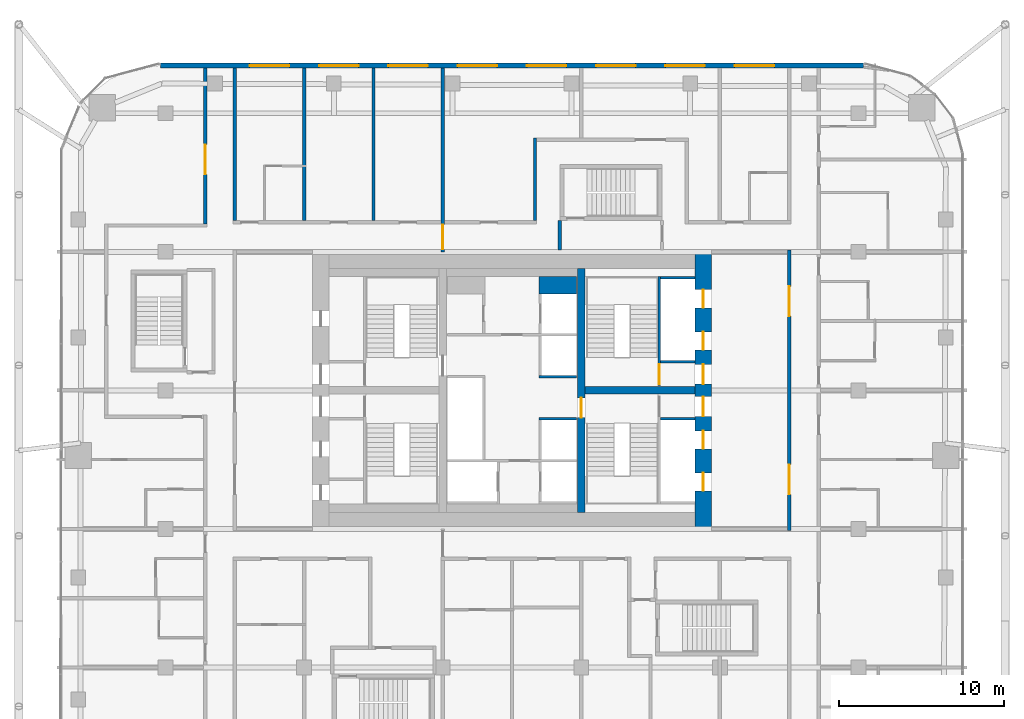
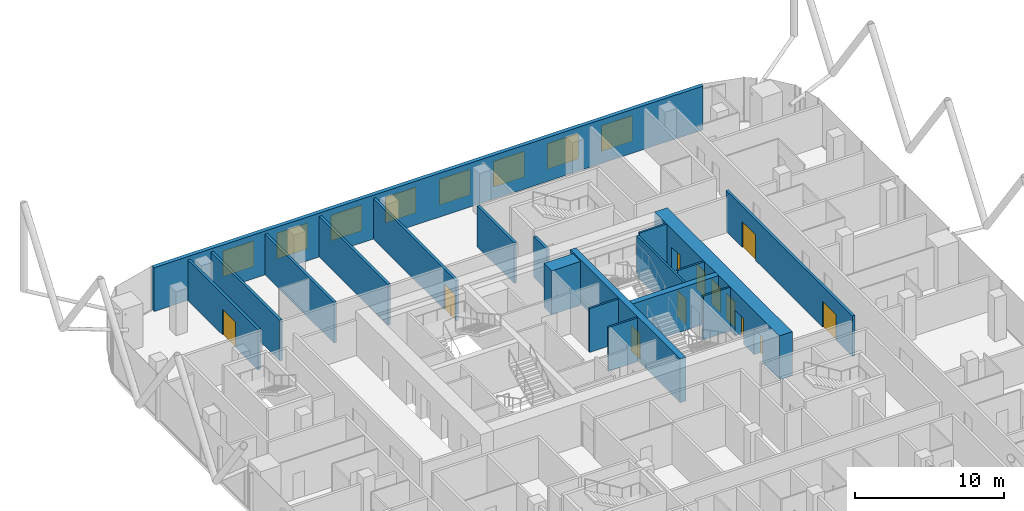
# One storey, part 32 of 36: 19 walls, 12 doors, 8 windows, 20 openings.
"""IFC4 building model written with IfcOpenShell, lengths in metres."""

from ifc_helpers import new_model, si_unit, direction, frame, frame_2d, origin, place, context, subcontext, project, spatial, rectangle, extrude, material, layer, layer_set, type_object, element, fill, save


model = new_model("IFC4")

# Units and contexts
model_context = context("Model", 3, precision=1e-05, world=origin(), true_north=direction((0.0, 1.0)))
body_context = subcontext(model_context, "Body", "Model", "MODEL_VIEW")
ifc_project = project(units=[si_unit("LENGTHUNIT", "METRE"), si_unit("AREAUNIT", "SQUARE_METRE"), si_unit("VOLUMEUNIT", "CUBIC_METRE"), si_unit("PLANEANGLEUNIT", "RADIAN"), si_unit("MASSUNIT", "GRAM", prefix="KILO")], contexts=[model_context])

# Site, building, storey
site_placement = place(None, origin())
site = spatial("IfcSite", under=ifc_project, at=site_placement, CompositionType="ELEMENT")
building_placement = place(site_placement, origin())
building = spatial("IfcBuilding", under=site, at=building_placement, Name="Marenta Gate Hotel Tower", CompositionType="ELEMENT")
storey_placement = place(building_placement, frame((0.0, 0.0, 158.89990234375)))
storey = spatial("IfcBuildingStorey", under=building, at=storey_placement, Name="L37", CompositionType="ELEMENT", Elevation=158.89990234375)

# Wall, openings, windows
ifc_material_1 = material(Name="Concrete C40 board-marked", Category="concrete")
ifc_layer_1 = layer(ifc_material_1, 0.300048828125)
ifc_layer_set_1 = layer_set([ifc_layer_1], Name="Concrete C40 board-marked")
wall_type_1 = type_object("IfcWallType", Name="Board-marked concrete wall 300 mm", PredefinedType="NOTDEFINED", material=ifc_layer_set_1)
wall_1_placement = place(storey_placement, frame((21.305908203125, 28.090087890625, 0.0), z_axis=(0.0, 0.0, 1.0), x_axis=(-1.0, 0.0, 0.0)))
wall_1 = element("IfcWall", 1, at=wall_1_placement, inside=storey, type_object=wall_type_1, Name="L37-CLD-N00", PredefinedType="NOTDEFINED", context=body_context, shape_type="SweptSolid", body=[
    extrude(rectangle(XDim=42.61181640625, YDim=0.300048828125, at=frame_2d((21.305908203125, 0.0))), origin(), (0.0, 0.0, 1.0), 3.60009765625),
])
opening_1_placement = place(wall_1_placement, frame((5.406005859375, 0.0, 0.89990234375)))
opening_1 = element("IfcOpeningElement", 2, at=opening_1_placement, cuts=wall_1, Name="Opening W1", PredefinedType="OPENING", context=body_context, shape_type="SweptSolid", body=[
    extrude(rectangle(XDim=2.39990234375, YDim=2.10009765625, at=frame_2d((1.199951171875, 1.050048828125))), frame((0.0, 0.14990234375, 0.0), z_axis=(0.0, -1.0, 0.0), x_axis=(1.0, 0.0, 0.0)), (0.0, 0.0, 1.0), 0.300048828125),
])
opening_2_placement = place(wall_1_placement, frame((9.60595703125, 0.0, 0.89990234375)))
opening_2 = element("IfcOpeningElement", 3, at=opening_2_placement, cuts=wall_1, Name="Opening W1", PredefinedType="OPENING", context=body_context, shape_type="SweptSolid", body=[
    extrude(rectangle(XDim=2.39990234375, YDim=2.10009765625, at=frame_2d((1.199951171875, 1.050048828125))), frame((0.0, 0.14990234375, 0.0), z_axis=(0.0, -1.0, 0.0), x_axis=(1.0, 0.0, 0.0)), (0.0, 0.0, 1.0), 0.300048828125),
])
opening_3_placement = place(wall_1_placement, frame((13.805908203125, 0.0, 0.89990234375)))
opening_3 = element("IfcOpeningElement", 4, at=opening_3_placement, cuts=wall_1, Name="Opening W1", PredefinedType="OPENING", context=body_context, shape_type="SweptSolid", body=[
    extrude(rectangle(XDim=2.39990234375, YDim=2.10009765625, at=frame_2d((1.199951171875, 1.050048828125))), frame((0.0, 0.14990234375, 0.0), z_axis=(0.0, -1.0, 0.0), x_axis=(1.0, 0.0, 0.0)), (0.0, 0.0, 1.0), 0.300048828125),
])
opening_4_placement = place(wall_1_placement, frame((18.005859375, 0.0, 0.89990234375)))
opening_4 = element("IfcOpeningElement", 5, at=opening_4_placement, cuts=wall_1, Name="Opening W1", PredefinedType="OPENING", context=body_context, shape_type="SweptSolid", body=[
    extrude(rectangle(XDim=2.39990234375, YDim=2.10009765625, at=frame_2d((1.199951171875, 1.050048828125))), frame((0.0, 0.14990234375, 0.0), z_axis=(0.0, -1.0, 0.0), x_axis=(1.0, 0.0, 0.0)), (0.0, 0.0, 1.0), 0.300048828125),
])
opening_5_placement = place(wall_1_placement, frame((22.205810546875, 0.0, 0.89990234375)))
opening_5 = element("IfcOpeningElement", 6, at=opening_5_placement, cuts=wall_1, Name="Opening W1", PredefinedType="OPENING", context=body_context, shape_type="SweptSolid", body=[
    extrude(rectangle(XDim=2.39990234375, YDim=2.10009765625, at=frame_2d((1.199951171875, 1.050048828125))), frame((0.0, 0.14990234375, 0.0), z_axis=(0.0, -1.0, 0.0), x_axis=(1.0, 0.0, 0.0)), (0.0, 0.0, 1.0), 0.300048828125),
])
opening_6_placement = place(wall_1_placement, frame((26.406005859375, 0.0, 0.89990234375)))
opening_6 = element("IfcOpeningElement", 7, at=opening_6_placement, cuts=wall_1, Name="Opening W1", PredefinedType="OPENING", context=body_context, shape_type="SweptSolid", body=[
    extrude(rectangle(XDim=2.39990234375, YDim=2.10009765625, at=frame_2d((1.199951171875, 1.050048828125))), frame((0.0, 0.14990234375, 0.0), z_axis=(0.0, -1.0, 0.0), x_axis=(1.0, 0.0, 0.0)), (0.0, 0.0, 1.0), 0.300048828125),
])
opening_7_placement = place(wall_1_placement, frame((30.60595703125, 0.0, 0.89990234375)))
opening_7 = element("IfcOpeningElement", 8, at=opening_7_placement, cuts=wall_1, Name="Opening W1", PredefinedType="OPENING", context=body_context, shape_type="SweptSolid", body=[
    extrude(rectangle(XDim=2.39990234375, YDim=2.10009765625, at=frame_2d((1.199951171875, 1.050048828125))), frame((0.0, 0.14990234375, 0.0), z_axis=(0.0, -1.0, 0.0), x_axis=(1.0, 0.0, 0.0)), (0.0, 0.0, 1.0), 0.300048828125),
])
opening_8_placement = place(wall_1_placement, frame((34.805908203125, 0.0, 0.89990234375)))
opening_8 = element("IfcOpeningElement", 9, at=opening_8_placement, cuts=wall_1, Name="Opening W1", PredefinedType="OPENING", context=body_context, shape_type="SweptSolid", body=[
    extrude(rectangle(XDim=2.39990234375, YDim=2.10009765625, at=frame_2d((1.199951171875, 1.050048828125))), frame((0.0, 0.14990234375, 0.0), z_axis=(0.0, -1.0, 0.0), x_axis=(1.0, 0.0, 0.0)), (0.0, 0.0, 1.0), 0.300048828125),
])
ifc_material_2 = material(Name="Tinted insulated glass in bronze anodised frame", Category="glass")
window_type = type_object("IfcWindowType", Name="Window W1 2400x2100 bronze frame", PartitioningType="SINGLE_PANEL", PredefinedType="WINDOW", material=ifc_material_2)
window_1_placement = place(opening_1_placement, origin())
window_1 = element("IfcWindow", 10, at=window_1_placement, inside=storey, type_object=window_type, Name="Window W1", OverallHeight=2.10009765625, OverallWidth=2.39990234375, PartitioningType="SINGLE_PANEL", PredefinedType="WINDOW", context=body_context, shape_type="SweptSolid", body=[
    extrude(rectangle(XDim=2.39990234375, YDim=2.10009765625, at=frame_2d((1.199951171875, 1.050048828125))), frame((0.0, 0.030029296875, 0.0), z_axis=(0.0, -1.0, 0.0), x_axis=(1.0, 0.0, 0.0)), (0.0, 0.0, 1.0), 0.06005859375),
])
fill(opening_1, window_1)
window_2_placement = place(opening_2_placement, origin())
window_2 = element("IfcWindow", 11, at=window_2_placement, inside=storey, type_object=window_type, Name="Window W1", OverallHeight=2.10009765625, OverallWidth=2.39990234375, PartitioningType="SINGLE_PANEL", PredefinedType="WINDOW", context=body_context, shape_type="SweptSolid", body=[
    extrude(rectangle(XDim=2.39990234375, YDim=2.10009765625, at=frame_2d((1.199951171875, 1.050048828125))), frame((0.0, 0.030029296875, 0.0), z_axis=(0.0, -1.0, 0.0), x_axis=(1.0, 0.0, 0.0)), (0.0, 0.0, 1.0), 0.06005859375),
])
fill(opening_2, window_2)
window_3_placement = place(opening_3_placement, origin())
window_3 = element("IfcWindow", 12, at=window_3_placement, inside=storey, type_object=window_type, Name="Window W1", OverallHeight=2.10009765625, OverallWidth=2.39990234375, PartitioningType="SINGLE_PANEL", PredefinedType="WINDOW", context=body_context, shape_type="SweptSolid", body=[
    extrude(rectangle(XDim=2.39990234375, YDim=2.10009765625, at=frame_2d((1.199951171875, 1.050048828125))), frame((0.0, 0.030029296875, 0.0), z_axis=(0.0, -1.0, 0.0), x_axis=(1.0, 0.0, 0.0)), (0.0, 0.0, 1.0), 0.06005859375),
])
fill(opening_3, window_3)
window_4_placement = place(opening_4_placement, origin())
window_4 = element("IfcWindow", 13, at=window_4_placement, inside=storey, type_object=window_type, Name="Window W1", OverallHeight=2.10009765625, OverallWidth=2.39990234375, PartitioningType="SINGLE_PANEL", PredefinedType="WINDOW", context=body_context, shape_type="SweptSolid", body=[
    extrude(rectangle(XDim=2.39990234375, YDim=2.10009765625, at=frame_2d((1.199951171875, 1.050048828125))), frame((0.0, 0.030029296875, 0.0), z_axis=(0.0, -1.0, 0.0), x_axis=(1.0, 0.0, 0.0)), (0.0, 0.0, 1.0), 0.06005859375),
])
fill(opening_4, window_4)
window_5_placement = place(opening_5_placement, origin())
window_5 = element("IfcWindow", 14, at=window_5_placement, inside=storey, type_object=window_type, Name="Window W1", OverallHeight=2.10009765625, OverallWidth=2.39990234375, PartitioningType="SINGLE_PANEL", PredefinedType="WINDOW", context=body_context, shape_type="SweptSolid", body=[
    extrude(rectangle(XDim=2.39990234375, YDim=2.10009765625, at=frame_2d((1.199951171875, 1.050048828125))), frame((0.0, 0.030029296875, 0.0), z_axis=(0.0, -1.0, 0.0), x_axis=(1.0, 0.0, 0.0)), (0.0, 0.0, 1.0), 0.06005859375),
])
fill(opening_5, window_5)
window_6_placement = place(opening_6_placement, origin())
window_6 = element("IfcWindow", 15, at=window_6_placement, inside=storey, type_object=window_type, Name="Window W1", OverallHeight=2.10009765625, OverallWidth=2.39990234375, PartitioningType="SINGLE_PANEL", PredefinedType="WINDOW", context=body_context, shape_type="SweptSolid", body=[
    extrude(rectangle(XDim=2.39990234375, YDim=2.10009765625, at=frame_2d((1.199951171875, 1.050048828125))), frame((0.0, 0.030029296875, 0.0), z_axis=(0.0, -1.0, 0.0), x_axis=(1.0, 0.0, 0.0)), (0.0, 0.0, 1.0), 0.06005859375),
])
fill(opening_6, window_6)
window_7_placement = place(opening_7_placement, origin())
window_7 = element("IfcWindow", 16, at=window_7_placement, inside=storey, type_object=window_type, Name="Window W1", OverallHeight=2.10009765625, OverallWidth=2.39990234375, PartitioningType="SINGLE_PANEL", PredefinedType="WINDOW", context=body_context, shape_type="SweptSolid", body=[
    extrude(rectangle(XDim=2.39990234375, YDim=2.10009765625, at=frame_2d((1.199951171875, 1.050048828125))), frame((0.0, 0.030029296875, 0.0), z_axis=(0.0, -1.0, 0.0), x_axis=(1.0, 0.0, 0.0)), (0.0, 0.0, 1.0), 0.06005859375),
])
fill(opening_7, window_7)
window_8_placement = place(opening_8_placement, origin())
window_8 = element("IfcWindow", 17, at=window_8_placement, inside=storey, type_object=window_type, Name="Window W1", OverallHeight=2.10009765625, OverallWidth=2.39990234375, PartitioningType="SINGLE_PANEL", PredefinedType="WINDOW", context=body_context, shape_type="SweptSolid", body=[
    extrude(rectangle(XDim=2.39990234375, YDim=2.10009765625, at=frame_2d((1.199951171875, 1.050048828125))), frame((0.0, 0.030029296875, 0.0), z_axis=(0.0, -1.0, 0.0), x_axis=(1.0, 0.0, 0.0)), (0.0, 0.0, 1.0), 0.06005859375),
])
fill(opening_8, window_8)

# Wall, opening, door
ifc_material_3 = material(Name="Concrete blockwork", Category="masonry")
ifc_layer_2 = layer(ifc_material_3, 0.199951171875)
ifc_layer_set_2 = layer_set([ifc_layer_2], Name="Concrete blockwork")
wall_type_2 = type_object("IfcWallType", Name="Compartment wall 200 REI 180", PredefinedType="PARTITIONING", material=ifc_layer_set_2)
wall_2_placement = place(storey_placement, frame((-4.199951171875, 16.800048828125, 0.0), z_axis=(0.0, 0.0, 1.0), x_axis=(0.0, 1.0, 0.0)))
wall_2 = element("IfcWall", 18, at=wall_2_placement, inside=storey, type_object=wall_type_2, Name="L37-PTN-W073", PredefinedType="PARTITIONING", context=body_context, shape_type="SweptSolid", body=[
    extrude(rectangle(XDim=11.139892578125, YDim=0.199951171875, at=frame_2d((5.56982421875, 0.0))), origin(), (0.0, 0.0, 1.0), 3.340087890625),
])
opening_9_placement = place(wall_2_placement, frame((0.14990234375, 0.0, 0.0)))
opening_9 = element("IfcOpeningElement", 19, at=opening_9_placement, cuts=wall_2, Name="Opening G14-FD1", PredefinedType="OPENING", context=body_context, shape_type="SweptSolid", body=[
    extrude(rectangle(XDim=1.5, YDim=2.10009765625, at=frame_2d((0.75, 1.050048828125))), frame((0.0, 0.10009765625, 0.0), z_axis=(0.0, -1.0, 0.0), x_axis=(1.0, 0.0, 0.0)), (0.0, 0.0, 1.0), 0.199951171875),
])
ifc_material_4 = material(Name="Hollow steel door set", Category="steel")
door_type_1 = type_object("IfcDoorType", Name="Compartment fire door 1500x2100 EI 60", OperationType="DOUBLE_DOOR_DOUBLE_SWING", PredefinedType="DOOR", material=ifc_material_4)
door_1_placement = place(opening_9_placement, origin())
door_1 = element("IfcDoor", 20, at=door_1_placement, inside=storey, type_object=door_type_1, Name="L37-PD-FD01", OperationType="DOUBLE_DOOR_DOUBLE_SWING", OverallHeight=2.10009765625, OverallWidth=1.5, PredefinedType="DOOR", context=body_context, shape_type="SweptSolid", body=[
    extrude(rectangle(XDim=1.5, YDim=2.10009765625, at=frame_2d((0.75, 1.050048828125))), frame((0.0, 0.02490234375, 0.0), z_axis=(0.0, -1.0, 0.0), x_axis=(1.0, 0.0, 0.0)), (0.0, 0.0, 1.0), 0.050048828125),
])
fill(opening_9, door_1)

# Wall, openings, doors
ifc_material_5 = material(Name="Concrete blockwork", Category="masonry")
ifc_layer_3 = layer(ifc_material_5, 0.199951171875)
ifc_layer_set_3 = layer_set([ifc_layer_3], Name="Concrete blockwork")
wall_type_3 = type_object("IfcWallType", Name="Core boundary wall 200 REI 180", PredefinedType="PARTITIONING", material=ifc_layer_set_3)
wall_3_placement = place(storey_placement, frame((16.800048828125, -0.10009765625, 0.0), z_axis=(0.0, 0.0, 1.0), x_axis=(0.0, 1.0, 0.0)))
wall_3 = element("IfcWall", 21, at=wall_3_placement, inside=storey, type_object=wall_type_3, Name="L37-CP-BW-E", PredefinedType="PARTITIONING", context=body_context, shape_type="SweptSolid", body=[
    extrude(rectangle(XDim=17.0, YDim=0.199951171875, at=frame_2d((8.5, 0.0))), origin(), (0.0, 0.0, 1.0), 3.340087890625),
])
opening_10_placement = place(wall_3_placement, frame((2.199951171875, 0.0, 0.0)))
opening_10 = element("IfcOpeningElement", 22, at=opening_10_placement, cuts=wall_3, Name="Opening ED-Ea-B", PredefinedType="OPENING", context=body_context, shape_type="SweptSolid", body=[
    extrude(rectangle(XDim=1.800048828125, YDim=2.10009765625, at=frame_2d((0.89990234375, 1.050048828125))), frame((0.0, 0.10009765625, 0.0), z_axis=(0.0, -1.0, 0.0), x_axis=(1.0, 0.0, 0.0)), (0.0, 0.0, 1.0), 0.199951171875),
])
opening_11_placement = place(wall_3_placement, frame((13.0, 0.0, 0.0)))
opening_11 = element("IfcOpeningElement", 23, at=opening_11_placement, cuts=wall_3, Name="Opening ED-Eb-B", PredefinedType="OPENING", context=body_context, shape_type="SweptSolid", body=[
    extrude(rectangle(XDim=1.800048828125, YDim=2.10009765625, at=frame_2d((0.89990234375, 1.050048828125))), frame((0.0, 0.10009765625, 0.0), z_axis=(0.0, -1.0, 0.0), x_axis=(1.0, 0.0, 0.0)), (0.0, 0.0, 1.0), 0.199951171875),
])
ifc_material_6 = material(Name="Steel", Category="steel")
door_type_2 = type_object("IfcDoorType", Name="Core lobby entrance door 1800x2100 EI 60", OperationType="DOUBLE_DOOR_SINGLE_SWING", PredefinedType="DOOR", material=ifc_material_6)
door_2_placement = place(opening_10_placement, origin())
door_2 = element("IfcDoor", 24, at=door_2_placement, inside=storey, type_object=door_type_2, Name="ED-Ea-B", OperationType="DOUBLE_DOOR_SINGLE_SWING", OverallHeight=2.10009765625, OverallWidth=1.800048828125, PredefinedType="DOOR", context=body_context, shape_type="SweptSolid", body=[
    extrude(rectangle(XDim=1.800048828125, YDim=2.10009765625, at=frame_2d((0.89990234375, 1.050048828125))), frame((0.0, 0.02490234375, 0.0), z_axis=(0.0, -1.0, 0.0), x_axis=(1.0, 0.0, 0.0)), (0.0, 0.0, 1.0), 0.050048828125),
])
fill(opening_10, door_2)
door_3_placement = place(opening_11_placement, origin())
door_3 = element("IfcDoor", 25, at=door_3_placement, inside=storey, type_object=door_type_2, Name="ED-Eb-B", OperationType="DOUBLE_DOOR_SINGLE_SWING", OverallHeight=2.10009765625, OverallWidth=1.800048828125, PredefinedType="DOOR", context=body_context, shape_type="SweptSolid", body=[
    extrude(rectangle(XDim=1.800048828125, YDim=2.10009765625, at=frame_2d((0.89990234375, 1.050048828125))), frame((0.0, 0.02490234375, 0.0), z_axis=(0.0, -1.0, 0.0), x_axis=(1.0, 0.0, 0.0)), (0.0, 0.0, 1.0), 0.050048828125),
])
fill(opening_11, door_3)

# Walls
ifc_material_7 = material(Name="Concrete C40", Category="concrete")
ifc_layer_4 = layer(ifc_material_7, 1.050048828125)
ifc_layer_set_4 = layer_set([ifc_layer_4], Name="Concrete C40")
wall_type_4 = type_object("IfcWallType", Name="Core shaft wall 1050 REI 180", PredefinedType="SHEAR", material=ifc_layer_set_4)
wall_4_placement = place(storey_placement, frame((1.64990234375, 14.77490234375, 0.0), z_axis=(0.0, 0.0, 1.0), x_axis=(1.0, 0.0, 0.0)))
element("IfcWall", 26, at=wall_4_placement, inside=storey, type_object=wall_type_4, Name="L37-SHF-CE-N-top", PredefinedType="SHEAR", context=body_context, shape_type="SweptSolid", body=[
    extrude(rectangle(XDim=2.25, YDim=1.050048828125, at=frame_2d((1.125, 0.0))), origin(), (0.0, 0.0, 1.0), 3.60009765625),
])
ifc_material_8 = material(Name="Concrete C40", Category="concrete")
ifc_layer_5 = layer(ifc_material_8, 0.14990234375)
ifc_layer_set_5 = layer_set([ifc_layer_5], Name="Concrete C40")
wall_type_5 = type_object("IfcWallType", Name="Core shaft wall 150 REI 180", PredefinedType="SHEAR", material=ifc_layer_set_5)
for number, where, z_axis, x_axis, name in (
    (27, (9.0, 6.675048828125, 0.0), (0.0, 0.0, 1.0), (1.0, 0.0, 0.0), "L37-SHF-SW-ES-2"),
    (28, (9.0, 10.125, 0.0), (0.0, 0.0, 1.0), (1.0, 0.0, 0.0), "L37-SHF-SW-EN-2"),
    (29, (9.0, 15.22509765625, 0.0), (0.0, 0.0, 1.0), (1.0, 0.0, 0.0), "L37-SHF-SW-EN-5"),
):
    element("IfcWall", number, at=place(storey_placement, frame(where, z_axis=z_axis, x_axis=x_axis)), inside=storey, type_object=wall_type_5, Name=name, PredefinedType="SHEAR", context=body_context, shape_type="SweptSolid", body=[
        extrude(rectangle(XDim=2.10009765625, YDim=0.14990234375, at=frame_2d((1.050048828125, 0.0))), origin(), (0.0, 0.0, 1.0), 3.60009765625),
    ])
for number, where, z_axis, x_axis, name in (
    (30, (1.64990234375, 6.675048828125, 0.0), (0.0, 0.0, 1.0), (1.0, 0.0, 0.0), "L37-SHF-CE-sep1"),
    (31, (1.64990234375, 9.22509765625, 0.0), (0.0, 0.0, 1.0), (1.0, 0.0, 0.0), "L37-SHF-CE-sep2"),
):
    element("IfcWall", number, at=place(storey_placement, frame(where, z_axis=z_axis, x_axis=x_axis)), inside=storey, type_object=wall_type_5, Name=name, PredefinedType="SHEAR", context=body_context, shape_type="SweptSolid", body=[
        extrude(rectangle(XDim=2.25, YDim=0.14990234375, at=frame_2d((1.125, 0.0))), origin(), (0.0, 0.0, 1.0), 3.60009765625),
    ])

# Wall, opening, door
ifc_material_9 = material(Name="Concrete C40", Category="concrete")
ifc_layer_6 = layer(ifc_material_9, 0.14990234375)
ifc_layer_set_6 = layer_set([ifc_layer_6], Name="Concrete C40")
wall_type_6 = type_object("IfcWallType", Name="Core stair enclosure wall 150 REI 180", PredefinedType="SHEAR", material=ifc_layer_set_6)
wall_5_placement = place(storey_placement, frame((8.925048828125, 8.699951171875, 0.0), z_axis=(0.0, 0.0, 1.0), x_axis=(0.0, 1.0, 0.0)))
wall_5 = element("IfcWall", 32, at=wall_5_placement, inside=storey, type_object=wall_type_6, Name="L37-SHF-SW-EN-3", PredefinedType="SHEAR", context=body_context, shape_type="SweptSolid", body=[
    extrude(rectangle(XDim=6.60009765625, YDim=0.14990234375, at=frame_2d((3.300048828125, 0.0))), origin(), (0.0, 0.0, 1.0), 3.340087890625),
])
opening_12_placement = place(wall_5_placement, frame((0.074951171875, 0.0, 0.0)))
opening_12 = element("IfcOpeningElement", 33, at=opening_12_placement, cuts=wall_5, Name="Opening SD-EN", PredefinedType="OPENING", context=body_context, shape_type="SweptSolid", body=[
    extrude(rectangle(XDim=1.199951171875, YDim=2.10009765625, at=frame_2d((0.60009765625, 1.050048828125))), frame((0.0, 0.074951171875, 0.0), z_axis=(0.0, -1.0, 0.0), x_axis=(1.0, 0.0, 0.0)), (0.0, 0.0, 1.0), 0.14990234375),
])
ifc_material_10 = material(Name="Steel", Category="steel")
door_type_3 = type_object("IfcDoorType", Name="Core stair door 1200x2100 FD60", OperationType="SINGLE_SWING_LEFT", PredefinedType="DOOR", material=ifc_material_10)
door_4_placement = place(opening_12_placement, origin())
door_4 = element("IfcDoor", 34, at=door_4_placement, inside=storey, type_object=door_type_3, Name="SD-EN", OperationType="SINGLE_SWING_LEFT", OverallHeight=2.10009765625, OverallWidth=1.199951171875, PredefinedType="DOOR", context=body_context, shape_type="SweptSolid", body=[
    extrude(rectangle(XDim=1.199951171875, YDim=2.10009765625, at=frame_2d((0.60009765625, 1.050048828125))), frame((0.0, 0.02490234375, 0.0), z_axis=(0.0, -1.0, 0.0), x_axis=(1.0, 0.0, 0.0)), (0.0, 0.0, 1.0), 0.050048828125),
])
fill(opening_12, door_4)

# Wall, openings, doors
ifc_material_11 = material(Name="Concrete C70", Category="concrete")
ifc_layer_7 = layer(ifc_material_11, 1.0)
ifc_layer_set_7 = layer_set([ifc_layer_7], Name="Concrete C70")
wall_type_7 = type_object("IfcWallType", Name="Core wall 1000 C70", PredefinedType="SHEAR", material=ifc_layer_set_7)
wall_6_placement = place(storey_placement, frame((11.60009765625, 0.0, 0.0), z_axis=(0.0, 0.0, 1.0), x_axis=(0.0, 1.0, 0.0)))
wall_6 = element("IfcWall", 35, at=wall_6_placement, inside=storey, type_object=wall_type_7, Name="L37-CORE-E", PredefinedType="SHEAR", context=body_context, shape_type="SweptSolid", body=[
    extrude(rectangle(XDim=16.800048828125, YDim=1.0, at=frame_2d((8.39990234375, 0.0))), origin(), (0.0, 0.0, 1.0), 3.60009765625),
])
opening_13_placement = place(wall_6_placement, frame((2.300048828125, 0.0, 0.0)))
opening_13 = element("IfcOpeningElement", 36, at=opening_13_placement, cuts=wall_6, Name="Opening LD-HR1", PredefinedType="OPENING", context=body_context, shape_type="SweptSolid", body=[
    extrude(rectangle(XDim=1.10009765625, YDim=2.10009765625, at=frame_2d((0.550048828125, 1.050048828125))), frame((0.0, 0.5, 0.0), z_axis=(0.0, -1.0, 0.0), x_axis=(1.0, 0.0, 0.0)), (0.0, 0.0, 1.0), 1.0),
])
opening_14_placement = place(wall_6_placement, frame((4.85009765625, 0.0, 0.0)))
opening_14 = element("IfcOpeningElement", 37, at=opening_14_placement, cuts=wall_6, Name="Opening LD-HR2", PredefinedType="OPENING", context=body_context, shape_type="SweptSolid", body=[
    extrude(rectangle(XDim=1.10009765625, YDim=2.10009765625, at=frame_2d((0.550048828125, 1.050048828125))), frame((0.0, 0.5, 0.0), z_axis=(0.0, -1.0, 0.0), x_axis=(1.0, 0.0, 0.0)), (0.0, 0.0, 1.0), 1.0),
])
opening_15_placement = place(wall_6_placement, frame((6.824951171875, 0.0, 0.0)))
opening_15 = element("IfcOpeningElement", 38, at=opening_15_placement, cuts=wall_6, Name="Opening PD-ES", PredefinedType="OPENING", context=body_context, shape_type="SweptSolid", body=[
    extrude(rectangle(XDim=1.199951171875, YDim=2.10009765625, at=frame_2d((0.60009765625, 1.050048828125))), frame((0.0, 0.5, 0.0), z_axis=(0.0, -1.0, 0.0), x_axis=(1.0, 0.0, 0.0)), (0.0, 0.0, 1.0), 1.0),
])
opening_16_placement = place(wall_6_placement, frame((13.39990234375, 0.0, 0.0)))
opening_16 = element("IfcOpeningElement", 39, at=opening_16_placement, cuts=wall_6, Name="Opening LD-HR4", PredefinedType="OPENING", context=body_context, shape_type="SweptSolid", body=[
    extrude(rectangle(XDim=1.10009765625, YDim=2.10009765625, at=frame_2d((0.550048828125, 1.050048828125))), frame((0.0, 0.5, 0.0), z_axis=(0.0, -1.0, 0.0), x_axis=(1.0, 0.0, 0.0)), (0.0, 0.0, 1.0), 1.0),
])
opening_17_placement = place(wall_6_placement, frame((10.85009765625, 0.0, 0.0)))
opening_17 = element("IfcOpeningElement", 40, at=opening_17_placement, cuts=wall_6, Name="Opening LD-HR3", PredefinedType="OPENING", context=body_context, shape_type="SweptSolid", body=[
    extrude(rectangle(XDim=1.10009765625, YDim=2.10009765625, at=frame_2d((0.550048828125, 1.050048828125))), frame((0.0, 0.5, 0.0), z_axis=(0.0, -1.0, 0.0), x_axis=(1.0, 0.0, 0.0)), (0.0, 0.0, 1.0), 1.0),
])
opening_18_placement = place(wall_6_placement, frame((8.77490234375, 0.0, 0.0)))
opening_18 = element("IfcOpeningElement", 41, at=opening_18_placement, cuts=wall_6, Name="Opening PD-EN", PredefinedType="OPENING", context=body_context, shape_type="SweptSolid", body=[
    extrude(rectangle(XDim=1.199951171875, YDim=2.10009765625, at=frame_2d((0.60009765625, 1.050048828125))), frame((0.0, 0.5, 0.0), z_axis=(0.0, -1.0, 0.0), x_axis=(1.0, 0.0, 0.0)), (0.0, 0.0, 1.0), 1.0),
])
ifc_material_12 = material(Name="Steel", Category="steel")
door_type_4 = type_object("IfcDoorType", Name="Core lift landing door 1100x2100 E 60", OperationType="SLIDING_TO_LEFT", PredefinedType="DOOR", material=ifc_material_12)
door_5_placement = place(opening_13_placement, origin())
door_5 = element("IfcDoor", 42, at=door_5_placement, inside=storey, type_object=door_type_4, Name="LD-HR1", OperationType="SLIDING_TO_LEFT", OverallHeight=2.10009765625, OverallWidth=1.10009765625, PredefinedType="DOOR", context=body_context, shape_type="SweptSolid", body=[
    extrude(rectangle(XDim=1.10009765625, YDim=2.10009765625, at=frame_2d((0.550048828125, 1.050048828125))), frame((0.0, 0.02490234375, 0.0), z_axis=(0.0, -1.0, 0.0), x_axis=(1.0, 0.0, 0.0)), (0.0, 0.0, 1.0), 0.050048828125),
])
fill(opening_13, door_5)
door_6_placement = place(opening_14_placement, origin())
door_6 = element("IfcDoor", 43, at=door_6_placement, inside=storey, type_object=door_type_4, Name="LD-HR2", OperationType="SLIDING_TO_LEFT", OverallHeight=2.10009765625, OverallWidth=1.10009765625, PredefinedType="DOOR", context=body_context, shape_type="SweptSolid", body=[
    extrude(rectangle(XDim=1.10009765625, YDim=2.10009765625, at=frame_2d((0.550048828125, 1.050048828125))), frame((0.0, 0.02490234375, 0.0), z_axis=(0.0, -1.0, 0.0), x_axis=(1.0, 0.0, 0.0)), (0.0, 0.0, 1.0), 0.050048828125),
])
fill(opening_14, door_6)
door_7_placement = place(opening_16_placement, origin())
door_7 = element("IfcDoor", 44, at=door_7_placement, inside=storey, type_object=door_type_4, Name="LD-HR4", OperationType="SLIDING_TO_LEFT", OverallHeight=2.10009765625, OverallWidth=1.10009765625, PredefinedType="DOOR", context=body_context, shape_type="SweptSolid", body=[
    extrude(rectangle(XDim=1.10009765625, YDim=2.10009765625, at=frame_2d((0.550048828125, 1.050048828125))), frame((0.0, 0.02490234375, 0.0), z_axis=(0.0, -1.0, 0.0), x_axis=(1.0, 0.0, 0.0)), (0.0, 0.0, 1.0), 0.050048828125),
])
fill(opening_16, door_7)
door_8_placement = place(opening_17_placement, origin())
door_8 = element("IfcDoor", 45, at=door_8_placement, inside=storey, type_object=door_type_4, Name="LD-HR3", OperationType="SLIDING_TO_LEFT", OverallHeight=2.10009765625, OverallWidth=1.10009765625, PredefinedType="DOOR", context=body_context, shape_type="SweptSolid", body=[
    extrude(rectangle(XDim=1.10009765625, YDim=2.10009765625, at=frame_2d((0.550048828125, 1.050048828125))), frame((0.0, 0.02490234375, 0.0), z_axis=(0.0, -1.0, 0.0), x_axis=(1.0, 0.0, 0.0)), (0.0, 0.0, 1.0), 0.050048828125),
])
fill(opening_17, door_8)
ifc_material_13 = material(Name="Steel", Category="steel")
door_type_5 = type_object("IfcDoorType", Name="Core lobby door 1200x2100 FD60", OperationType="SINGLE_SWING_LEFT", PredefinedType="DOOR", material=ifc_material_13)
door_9_placement = place(opening_15_placement, origin())
door_9 = element("IfcDoor", 46, at=door_9_placement, inside=storey, type_object=door_type_5, Name="PD-ES", OperationType="SINGLE_SWING_LEFT", OverallHeight=2.10009765625, OverallWidth=1.199951171875, PredefinedType="DOOR", context=body_context, shape_type="SweptSolid", body=[
    extrude(rectangle(XDim=1.199951171875, YDim=2.10009765625, at=frame_2d((0.60009765625, 1.050048828125))), frame((0.0, 0.02490234375, 0.0), z_axis=(0.0, -1.0, 0.0), x_axis=(1.0, 0.0, 0.0)), (0.0, 0.0, 1.0), 0.050048828125),
])
fill(opening_15, door_9)
door_10_placement = place(opening_18_placement, origin())
door_10 = element("IfcDoor", 47, at=door_10_placement, inside=storey, type_object=door_type_5, Name="PD-EN", OperationType="SINGLE_SWING_LEFT", OverallHeight=2.10009765625, OverallWidth=1.199951171875, PredefinedType="DOOR", context=body_context, shape_type="SweptSolid", body=[
    extrude(rectangle(XDim=1.199951171875, YDim=2.10009765625, at=frame_2d((0.60009765625, 1.050048828125))), frame((0.0, 0.02490234375, 0.0), z_axis=(0.0, -1.0, 0.0), x_axis=(1.0, 0.0, 0.0)), (0.0, 0.0, 1.0), 0.050048828125),
])
fill(opening_18, door_10)

# Wall, opening, door
ifc_material_14 = material(Name="Concrete C70", Category="concrete")
ifc_layer_8 = layer(ifc_material_14, 0.449951171875)
ifc_layer_set_8 = layer_set([ifc_layer_8], Name="Concrete C70")
wall_type_8 = type_object("IfcWallType", Name="Core web 450 C70", PredefinedType="SHEAR", material=ifc_layer_set_8)
wall_7_placement = place(storey_placement, frame((4.199951171875, 1.0, 0.0), z_axis=(0.0, 0.0, 1.0), x_axis=(0.0, 1.0, 0.0)))
wall_7 = element("IfcWall", 48, at=wall_7_placement, inside=storey, type_object=wall_type_8, Name="L37-CORE-W2", PredefinedType="SHEAR", context=body_context, shape_type="SweptSolid", body=[
    extrude(rectangle(XDim=14.800048828125, YDim=0.449951171875, at=frame_2d((7.39990234375, 0.0))), origin(), (0.0, 0.0, 1.0), 3.60009765625),
])
opening_19_placement = place(wall_7_placement, frame((5.75, 0.0, 0.0)))
opening_19 = element("IfcOpeningElement", 49, at=opening_19_placement, cuts=wall_7, Name="Opening WD-E", PredefinedType="OPENING", context=body_context, shape_type="SweptSolid", body=[
    extrude(rectangle(XDim=1.199951171875, YDim=2.10009765625, at=frame_2d((0.60009765625, 1.050048828125))), frame((0.0, 0.22509765625, 0.0), z_axis=(0.0, -1.0, 0.0), x_axis=(1.0, 0.0, 0.0)), (0.0, 0.0, 1.0), 0.449951171875),
])
door_11_placement = place(opening_19_placement, origin())
door_11 = element("IfcDoor", 50, at=door_11_placement, inside=storey, type_object=door_type_3, Name="WD-E", OperationType="SINGLE_SWING_LEFT", OverallHeight=2.10009765625, OverallWidth=1.199951171875, PredefinedType="DOOR", context=body_context, shape_type="SweptSolid", body=[
    extrude(rectangle(XDim=1.199951171875, YDim=2.10009765625, at=frame_2d((0.60009765625, 1.050048828125))), frame((0.0, 0.02490234375, 0.0), z_axis=(0.0, -1.0, 0.0), x_axis=(1.0, 0.0, 0.0)), (0.0, 0.0, 1.0), 0.050048828125),
])
fill(opening_19, door_11)

# Walls
wall_8_placement = place(storey_placement, frame((4.425048828125, 8.39990234375, 0.0), z_axis=(0.0, 0.0, 1.0), x_axis=(1.0, 0.0, 0.0)))
element("IfcWall", 51, at=wall_8_placement, inside=storey, type_object=wall_type_8, Name="L37-CORE-W4", PredefinedType="SHEAR", context=body_context, shape_type="SweptSolid", body=[
    extrude(rectangle(XDim=6.675048828125, YDim=0.449951171875, at=frame_2d((3.33740234375, 0.0))), origin(), (0.0, 0.0, 1.0), 3.60009765625),
])
ifc_material_15 = material(Name="Gypsum board on steel stud", Category="steel")
ifc_layer_9 = layer(ifc_material_15, 0.199951171875)
ifc_layer_set_9 = layer_set([ifc_layer_9], Name="Gypsum board on steel stud")
wall_type_9 = type_object("IfcWallType", Name="Room corridor wall 200 EI 60", PredefinedType="PARTITIONING", material=ifc_layer_set_9)
wall_9_placement = place(storey_placement, frame((1.39990234375, 18.699951171875, 0.0), z_axis=(0.0, 0.0, 1.0), x_axis=(0.0, 1.0, 0.0)))
element("IfcWall", 52, at=wall_9_placement, inside=storey, type_object=wall_type_9, Name="L37-PTN-W064", PredefinedType="PARTITIONING", context=body_context, shape_type="SweptSolid", body=[
    extrude(rectangle(XDim=5.0, YDim=0.199951171875, at=frame_2d((2.5, 0.0))), origin(), (0.0, 0.0, 1.0), 3.340087890625),
])
wall_10_placement = place(storey_placement, frame((-16.800048828125, 18.699951171875, 0.0), z_axis=(0.0, 0.0, 1.0), x_axis=(0.0, 1.0, 0.0)))
element("IfcWall", 53, at=wall_10_placement, inside=storey, type_object=wall_type_9, Name="L37-PTN-W098", PredefinedType="PARTITIONING", context=body_context, shape_type="SweptSolid", body=[
    extrude(rectangle(XDim=9.239990234375, YDim=0.199951171875, at=frame_2d((4.6201171875, 0.0))), origin(), (0.0, 0.0, 1.0), 3.340087890625),
])

# Wall, opening, door
wall_11_placement = place(storey_placement, frame((-18.60009765625, 18.5, 0.0), z_axis=(0.0, 0.0, 1.0), x_axis=(0.0, 1.0, 0.0)))
wall_11 = element("IfcWall", 54, at=wall_11_placement, inside=storey, type_object=wall_type_9, Name="L37-PTN-W104", PredefinedType="PARTITIONING", context=body_context, shape_type="SweptSolid", body=[
    extrude(rectangle(XDim=9.43994140625, YDim=0.199951171875, at=frame_2d((4.719970703125, 0.0))), origin(), (0.0, 0.0, 1.0), 3.340087890625),
])
opening_20_placement = place(wall_11_placement, frame((3.0, 0.0, 0.0)))
opening_20 = element("IfcOpeningElement", 55, at=opening_20_placement, cuts=wall_11, Name="Opening G14-54", PredefinedType="OPENING", context=body_context, shape_type="SweptSolid", body=[
    extrude(rectangle(XDim=1.800048828125, YDim=2.10009765625, at=frame_2d((0.89990234375, 1.050048828125))), frame((0.0, 0.10009765625, 0.0), z_axis=(0.0, -1.0, 0.0), x_axis=(1.0, 0.0, 0.0)), (0.0, 0.0, 1.0), 0.199951171875),
])
ifc_material_16 = material(Name="Timber door leaf", Category="wood")
door_type_6 = type_object("IfcDoorType", Name="Room amenity door 1800x2100 EI 30", OperationType="DOUBLE_DOOR_SINGLE_SWING", PredefinedType="DOOR", material=ifc_material_16)
door_12_placement = place(opening_20_placement, origin())
door_12 = element("IfcDoor", 56, at=door_12_placement, inside=storey, type_object=door_type_6, Name="L37-PD-D054", OperationType="DOUBLE_DOOR_SINGLE_SWING", OverallHeight=2.10009765625, OverallWidth=1.800048828125, PredefinedType="DOOR", context=body_context, shape_type="SweptSolid", body=[
    extrude(rectangle(XDim=1.800048828125, YDim=2.10009765625, at=frame_2d((0.89990234375, 1.050048828125))), frame((0.0, 0.02490234375, 0.0), z_axis=(0.0, -1.0, 0.0), x_axis=(1.0, 0.0, 0.0)), (0.0, 0.0, 1.0), 0.050048828125),
])
fill(opening_20, door_12)

# Walls
ifc_material_17 = material(Name="Concrete blockwork", Category="masonry")
ifc_layer_10 = layer(ifc_material_17, 0.199951171875)
ifc_layer_set_10 = layer_set([ifc_layer_10], Name="Concrete blockwork")
wall_type_10 = type_object("IfcWallType", Name="Room corridor wall 200 REI 180", PredefinedType="PARTITIONING", material=ifc_layer_set_10)
wall_12_placement = place(storey_placement, frame((2.89990234375, 16.89990234375, 0.0), z_axis=(0.0, 0.0, 1.0), x_axis=(0.0, 1.0, 0.0)))
element("IfcWall", 57, at=wall_12_placement, inside=storey, type_object=wall_type_10, Name="L37-PTN-W058", PredefinedType="PARTITIONING", context=body_context, shape_type="SweptSolid", body=[
    extrude(rectangle(XDim=1.800048828125, YDim=0.199951171875, at=frame_2d((0.89990234375, 0.0))), origin(), (0.0, 0.0, 1.0), 3.340087890625),
])
ifc_material_18 = material(Name="Gypsum board on steel stud", Category="steel")
ifc_layer_11 = layer(ifc_material_18, 0.199951171875)
ifc_layer_set_11 = layer_set([ifc_layer_11], Name="Gypsum board on steel stud")
wall_type_11 = type_object("IfcWallType", Name="Room party wall 200 EI 60", PredefinedType="PARTITIONING", material=ifc_layer_set_11)
for number, where, z_axis, x_axis, name in (
    (58, (-8.39990234375, 18.699951171875, 0.0), (0.0, 0.0, 1.0), (0.0, 1.0, 0.0), "L37-PTN-W081"),
    (59, (-12.60009765625, 18.699951171875, 0.0), (0.0, 0.0, 1.0), (0.0, 1.0, 0.0), "L37-PTN-W090"),
):
    element("IfcWall", number, at=place(storey_placement, frame(where, z_axis=z_axis, x_axis=x_axis)), inside=storey, type_object=wall_type_11, Name=name, PredefinedType="PARTITIONING", context=body_context, shape_type="SweptSolid", body=[
        extrude(rectangle(XDim=9.239990234375, YDim=0.199951171875, at=frame_2d((4.6201171875, 0.0))), origin(), (0.0, 0.0, 1.0), 3.340087890625),
    ])

save(model, "model.ifc")
